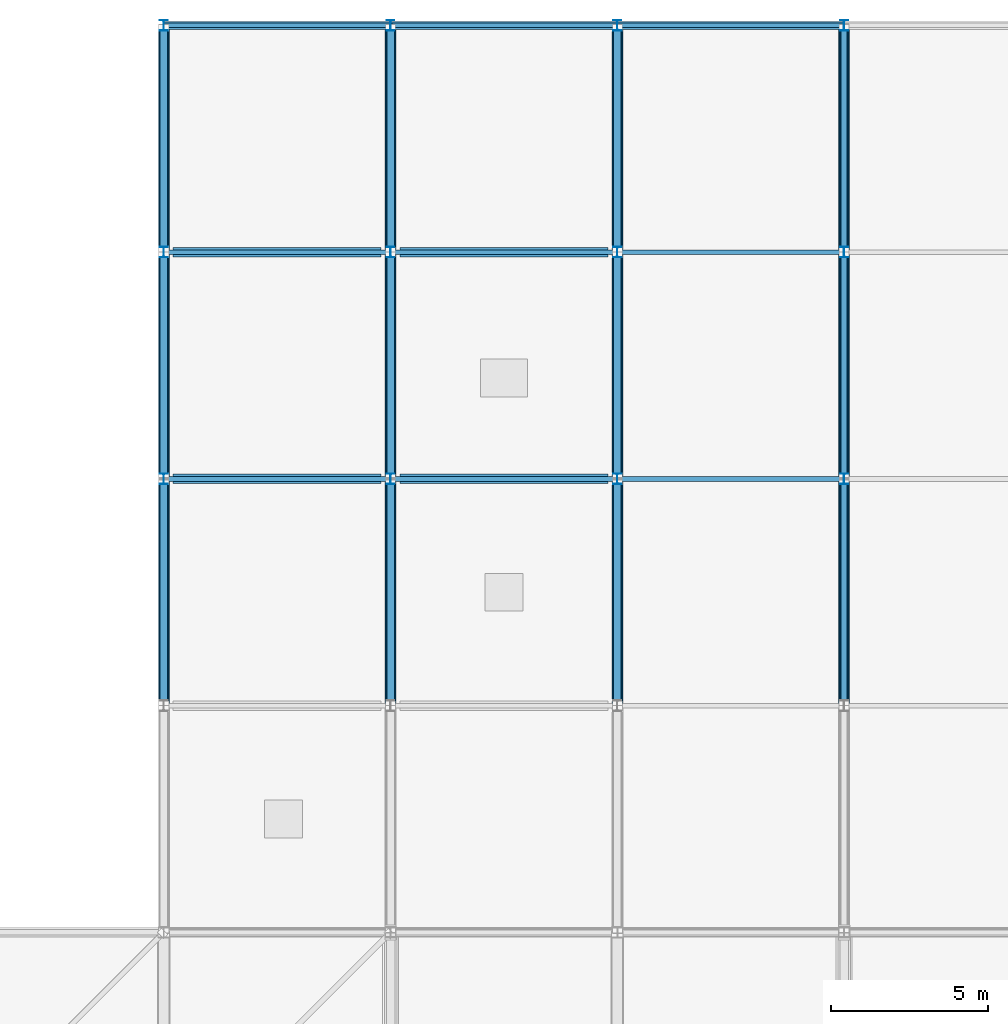
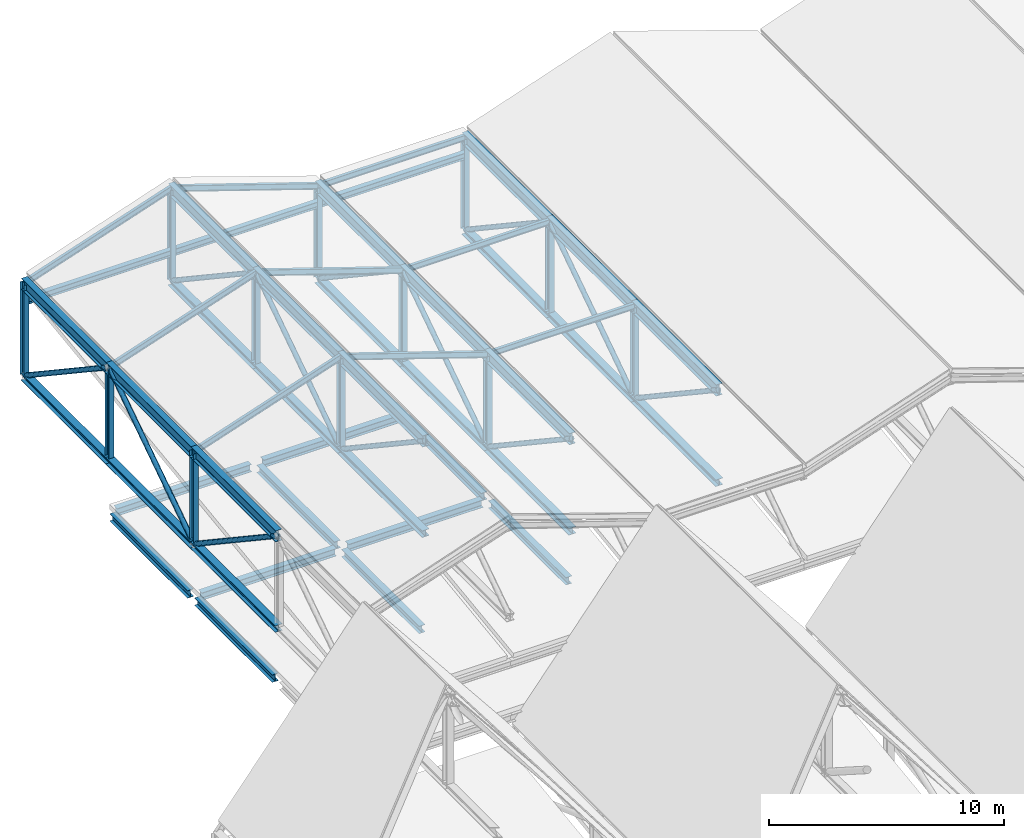
# One storey, part 27 of 60: 57 members, 13 beams.
"""IFC4 building model written with IfcOpenShell, lengths in metres."""

from ifc_helpers import new_model, si_unit, direction, frame, origin, origin_2d, place, context, subcontext, project, spatial, hollow_circle, i_section, extrude, material, material_profile, profile_set, type_object, element, save


model = new_model("IFC4")

# Units and contexts
model_context = context("Model", 3, precision=1e-05, world=origin(), true_north=direction((0.0, 1.0)))
body_context = subcontext(model_context, "Body", "Model", "MODEL_VIEW")
ifc_project = project(units=[si_unit("LENGTHUNIT", "METRE"), si_unit("AREAUNIT", "SQUARE_METRE"), si_unit("VOLUMEUNIT", "CUBIC_METRE"), si_unit("PLANEANGLEUNIT", "RADIAN"), si_unit("MASSUNIT", "GRAM", prefix="KILO")], contexts=[model_context])

# Site, building, storey
site_placement = place(None, origin())
site = spatial("IfcSite", under=ifc_project, at=site_placement, CompositionType="ELEMENT")
building_placement = place(site_placement, origin())
building = spatial("IfcBuilding", under=site, at=building_placement, Name="Vesperath Aquatics Centre", CompositionType="ELEMENT")
storey_placement = place(building_placement, frame((0.0, 0.0, 27.60009765625)))
storey = spatial("IfcBuildingStorey", under=building, at=storey_placement, Name="RF", CompositionType="ELEMENT", Elevation=27.60009765625)

# Beams
ifc_material_1 = material(Name="Steel Q355C", Category="steel")
ifc_material_profile_1 = material_profile(ifc_material_1, i_section(OverallWidth=0.300048828125, OverallDepth=0.389892578125, WebThickness=0.010009765625, FlangeThickness=0.01611328125, FilletRadius=0.02197265625, at=origin_2d()), Name="HM 390x300x10x16")
ifc_profile_set_1 = profile_set([ifc_material_profile_1], Name="Steel Q355C")
beam_type_1 = type_object("IfcBeamType", Name="BM-RB01", PredefinedType="BEAM", material=ifc_profile_set_1)
for number, where, z_axis, x_axis, name in (
    (1, (7.5, 100.800048828125, -8.755126953125), (1.0, 0.0, 0.0), (0.0, 1.0, 0.0), "Flat Roof Girder B11 RF Q 2-3"),
    (2, (7.5, 108.0, -8.755126953125), (1.0, 0.0, 0.0), (0.0, 1.0, 0.0), "Flat Roof Girder B11 RF R 2-3"),
    (3, (14.699951171875, 100.800048828125, -8.755126953125), (1.0, 0.0, 0.0), (0.0, 1.0, 0.0), "Flat Roof Girder B11 RF Q 3-4"),
    (4, (14.699951171875, 108.0, -8.755126953125), (1.0, 0.0, 0.0), (0.0, 1.0, 0.0), "Flat Roof Girder B11 RF R 3-4"),
    (5, (7.199951171875, 93.89990234375, -8.755126953125), (0.0, 1.0, 0.0), (-1.0, 0.0, 0.0), "Flat Roof Girder B11 RF 2 P-Q"),
):
    element("IfcBeam", number, at=place(storey_placement, frame(where, z_axis=z_axis, x_axis=x_axis)), inside=storey, type_object=beam_type_1, Name=name, PredefinedType="BEAM", context=body_context, shape_type="SweptSolid", body=[
        extrude(i_section(OverallWidth=0.300048828125, OverallDepth=0.389892578125, WebThickness=0.010009765625, FlangeThickness=0.01611328125, FilletRadius=0.02197265625, at=origin_2d()), origin(), (0.0, 0.0, 1.0), 6.60009765625),
    ])
beam_1_placement = place(storey_placement, frame((7.199951171875, 101.10009765625, -8.755126953125), z_axis=(0.0, 1.0, 0.0), x_axis=(-1.0, 0.0, 0.0)))
element("IfcBeam", 6, at=beam_1_placement, inside=storey, type_object=beam_type_1, Name="Flat Roof Girder B11 RF 2 Q-R", PredefinedType="BEAM", context=body_context, shape_type="SweptSolid", body=[
    extrude(i_section(OverallWidth=0.300048828125, OverallDepth=0.389892578125, WebThickness=0.010009765625, FlangeThickness=0.01611328125, FilletRadius=0.02197265625, at=origin_2d()), origin(), (0.0, 0.0, 1.0), 6.599853515625),
])
beam_2_placement = place(storey_placement, frame((14.39990234375, 93.89990234375, -8.755126953125), z_axis=(0.0, 1.0, 0.0), x_axis=(-1.0, 0.0, 0.0)))
element("IfcBeam", 7, at=beam_2_placement, inside=storey, type_object=beam_type_1, Name="Flat Roof Girder B11 RF 3 P-Q", PredefinedType="BEAM", context=body_context, shape_type="SweptSolid", body=[
    extrude(i_section(OverallWidth=0.300048828125, OverallDepth=0.389892578125, WebThickness=0.010009765625, FlangeThickness=0.01611328125, FilletRadius=0.02197265625, at=origin_2d()), origin(), (0.0, 0.0, 1.0), 6.60009765625),
])
beam_3_placement = place(storey_placement, frame((14.39990234375, 101.10009765625, -8.755126953125), z_axis=(0.0, 1.0, 0.0), x_axis=(-1.0, 0.0, 0.0)))
element("IfcBeam", 8, at=beam_3_placement, inside=storey, type_object=beam_type_1, Name="Flat Roof Girder B11 RF 3 Q-R", PredefinedType="BEAM", context=body_context, shape_type="SweptSolid", body=[
    extrude(i_section(OverallWidth=0.300048828125, OverallDepth=0.389892578125, WebThickness=0.010009765625, FlangeThickness=0.01611328125, FilletRadius=0.02197265625, at=origin_2d()), origin(), (0.0, 0.0, 1.0), 6.599853515625),
])
beam_4_placement = place(storey_placement, frame((21.60009765625, 93.89990234375, -8.755126953125), z_axis=(0.0, 1.0, 0.0), x_axis=(-1.0, 0.0, 0.0)))
element("IfcBeam", 9, at=beam_4_placement, inside=storey, type_object=beam_type_1, Name="Flat Roof Girder B11 RF 4 P-Q", PredefinedType="BEAM", context=body_context, shape_type="SweptSolid", body=[
    extrude(i_section(OverallWidth=0.300048828125, OverallDepth=0.389892578125, WebThickness=0.010009765625, FlangeThickness=0.01611328125, FilletRadius=0.02197265625, at=origin_2d()), origin(), (0.0, 0.0, 1.0), 6.60009765625),
])
beam_5_placement = place(storey_placement, frame((21.60009765625, 101.10009765625, -8.755126953125), z_axis=(0.0, 1.0, 0.0), x_axis=(-1.0, 0.0, 0.0)))
element("IfcBeam", 10, at=beam_5_placement, inside=storey, type_object=beam_type_1, Name="Flat Roof Girder B11 RF 4 Q-R", PredefinedType="BEAM", context=body_context, shape_type="SweptSolid", body=[
    extrude(i_section(OverallWidth=0.300048828125, OverallDepth=0.389892578125, WebThickness=0.010009765625, FlangeThickness=0.01611328125, FilletRadius=0.02197265625, at=origin_2d()), origin(), (0.0, 0.0, 1.0), 6.599853515625),
])
ifc_material_profile_2 = material_profile(ifc_material_1, i_section(OverallWidth=0.25, OverallDepth=0.340087890625, WebThickness=0.009033203125, FlangeThickness=0.013916015625, FilletRadius=0.02001953125, at=origin_2d()), Name="HM 340x250x9x14")
ifc_profile_set_2 = profile_set([ifc_material_profile_2], Name="Steel Q355C")
beam_type_2 = type_object("IfcBeamType", Name="BM-RB08", PredefinedType="BEAM", material=ifc_profile_set_2)
beam_6_placement = place(storey_placement, frame((7.199951171875, 115.199951171875, -2.107421875), z_axis=(1.0, 0.0, 0.0), x_axis=(0.0, 1.0, 0.0)))
element("IfcBeam", 11, at=beam_6_placement, inside=storey, type_object=beam_type_2, Name="Diving Roof Support Beam B12 North 2", PredefinedType="BEAM", context=body_context, shape_type="SweptSolid", body=[
    extrude(i_section(OverallWidth=0.25, OverallDepth=0.340087890625, WebThickness=0.009033203125, FlangeThickness=0.013916015625, FilletRadius=0.02001953125, at=origin_2d()), origin(), (0.0, 0.0, 1.0), 7.199951171875),
])
beam_7_placement = place(storey_placement, frame((14.39990234375, 115.199951171875, -2.107421875), z_axis=(1.0, 0.0, 0.0), x_axis=(0.0, 1.0, 0.0)))
element("IfcBeam", 12, at=beam_7_placement, inside=storey, type_object=beam_type_2, Name="Diving Roof Support Beam B12 North 3", PredefinedType="BEAM", context=body_context, shape_type="SweptSolid", body=[
    extrude(i_section(OverallWidth=0.25, OverallDepth=0.340087890625, WebThickness=0.009033203125, FlangeThickness=0.013916015625, FilletRadius=0.02001953125, at=origin_2d()), origin(), (0.0, 0.0, 1.0), 7.2001953125),
])
beam_8_placement = place(storey_placement, frame((21.60009765625, 115.199951171875, -2.107421875), z_axis=(1.0, 0.0, 0.0), x_axis=(0.0, 1.0, 0.0)))
element("IfcBeam", 13, at=beam_8_placement, inside=storey, type_object=beam_type_2, Name="Diving Roof Support Beam B12 North 4", PredefinedType="BEAM", context=body_context, shape_type="SweptSolid", body=[
    extrude(i_section(OverallWidth=0.25, OverallDepth=0.340087890625, WebThickness=0.009033203125, FlangeThickness=0.013916015625, FilletRadius=0.02001953125, at=origin_2d()), origin(), (0.0, 0.0, 1.0), 7.199951171875),
])

# Members
ifc_material_2 = material(Name="Steel Q355D", Category="steel")
ifc_material_profile_3 = material_profile(ifc_material_2, i_section(OverallWidth=0.35009765625, OverallDepth=0.35009765625, WebThickness=0.011962890625, FlangeThickness=0.01904296875, FilletRadius=0.02001953125, at=origin_2d()), Name="HW 350x350x12x19")
ifc_profile_set_3 = profile_set([ifc_material_profile_3], Name="Steel Q355D")
member_type_1 = type_object("IfcMemberType", Name="MB-BC02", PredefinedType="CHORD", material=ifc_profile_set_3)
for number, where, z_axis, x_axis, name in (
    (14, (7.199951171875, 93.60009765625, -6.0), (0.0, 1.0, 0.0), (-1.0, 0.0, 0.0), "Diving ROOF TRUSS Bottom Chord BC02 G2-2"),
    (15, (7.199951171875, 100.800048828125, -6.0), (0.0, 1.0, 0.0), (-1.0, 0.0, 0.0), "Diving ROOF TRUSS Bottom Chord BC02 G2-3"),
    (16, (7.199951171875, 108.0, -6.0), (0.0, 1.0, 0.0), (-1.0, 0.0, 0.0), "Diving ROOF TRUSS Bottom Chord BC02 G2-4"),
    (17, (14.39990234375, 93.60009765625, -3.60009765625), (0.0, 1.0, 0.0), (-1.0, 0.0, 0.0), "Diving ROOF TRUSS Bottom Chord BC02 G3-2"),
    (18, (14.39990234375, 100.800048828125, -3.60009765625), (0.0, 1.0, 0.0), (-1.0, 0.0, 0.0), "Diving ROOF TRUSS Bottom Chord BC02 G3-3"),
    (19, (14.39990234375, 108.0, -3.60009765625), (0.0, 1.0, 0.0), (-1.0, 0.0, 0.0), "Diving ROOF TRUSS Bottom Chord BC02 G3-4"),
    (20, (21.60009765625, 93.60009765625, -6.0), (0.0, 1.0, 0.0), (-1.0, 0.0, 0.0), "Diving ROOF TRUSS Bottom Chord BC02 G4-2"),
    (21, (21.60009765625, 100.800048828125, -6.0), (0.0, 1.0, 0.0), (-1.0, 0.0, 0.0), "Diving ROOF TRUSS Bottom Chord BC02 G4-3"),
    (22, (21.60009765625, 108.0, -6.0), (0.0, 1.0, 0.0), (-1.0, 0.0, 0.0), "Diving ROOF TRUSS Bottom Chord BC02 G4-4"),
    (23, (28.800048828125, 93.60009765625, -6.0), (0.0, 1.0, 0.0), (-1.0, 0.0, 0.0), "Diving ROOF TRUSS Bottom Chord BC02 G5-2"),
    (24, (28.800048828125, 100.800048828125, -6.0), (0.0, 1.0, 0.0), (-1.0, 0.0, 0.0), "Diving ROOF TRUSS Bottom Chord BC02 G5-3"),
    (25, (28.800048828125, 108.0, -6.0), (0.0, 1.0, 0.0), (-1.0, 0.0, 0.0), "Diving ROOF TRUSS Bottom Chord BC02 G5-4"),
):
    element("IfcMember", number, at=place(storey_placement, frame(where, z_axis=z_axis, x_axis=x_axis)), inside=storey, type_object=member_type_1, Name=name, PredefinedType="CHORD", context=body_context, shape_type="SweptSolid", body=[
        extrude(i_section(OverallWidth=0.35009765625, OverallDepth=0.35009765625, WebThickness=0.011962890625, FlangeThickness=0.01904296875, FilletRadius=0.02001953125, at=origin_2d()), origin(), (0.0, 0.0, 1.0), 7.199951171875),
    ])
ifc_material_profile_4 = material_profile(ifc_material_1, i_section(OverallWidth=0.14990234375, OverallDepth=0.300048828125, WebThickness=0.006591796875, FlangeThickness=0.009033203125, FilletRadius=0.012939453125, at=origin_2d()), Name="HN 300x150x6.5x9")
ifc_profile_set_4 = profile_set([ifc_material_profile_4], Name="Steel Q355C")
member_type_2 = type_object("IfcMemberType", Name="MB-PR02", PredefinedType="PURLIN", material=ifc_profile_set_4)
for number, where, z_axis, x_axis, name in (
    (26, (7.199951171875, 100.800048828125, -1.2001953125), (0.948676864184, 0.0, 0.316247066962), (0.0, 1.0, 0.0), "Diving Roof Purlin PR02 2-3"),
    (27, (7.199951171875, 108.0, -1.2001953125), (0.948676864184, 0.0, 0.316247066962), (0.0, 1.0, 0.0), "Diving Roof Purlin PR02 2-4"),
    (28, (7.199951171875, 115.199951171875, -1.2001953125), (0.948676864184, 0.0, 0.316247066962), (0.0, 1.0, 0.0), "Diving Roof Purlin PR02 2-5"),
):
    element("IfcMember", number, at=place(storey_placement, frame(where, z_axis=z_axis, x_axis=x_axis)), inside=storey, type_object=member_type_2, Name=name, PredefinedType="PURLIN", context=body_context, shape_type="SweptSolid", body=[
        extrude(i_section(OverallWidth=0.14990234375, OverallDepth=0.300048828125, WebThickness=0.006591796875, FlangeThickness=0.009033203125, FilletRadius=0.012939453125, at=origin_2d()), origin(), (0.0, 0.0, 1.0), 7.58935546875),
    ])
for number, where, z_axis, x_axis, name in (
    (29, (14.39990234375, 100.800048828125, 1.199951171875), (0.948680081264, 0.0, -0.316237416212), (0.0, 1.0, 0.0), "Diving Roof Purlin PR02 3-3"),
    (30, (14.39990234375, 108.0, 1.199951171875), (0.948680081264, 0.0, -0.316237416212), (0.0, 1.0, 0.0), "Diving Roof Purlin PR02 3-4"),
    (31, (14.39990234375, 115.199951171875, 1.199951171875), (0.948680081264, 0.0, -0.316237416212), (0.0, 1.0, 0.0), "Diving Roof Purlin PR02 3-5"),
):
    element("IfcMember", number, at=place(storey_placement, frame(where, z_axis=z_axis, x_axis=x_axis)), inside=storey, type_object=member_type_2, Name=name, PredefinedType="PURLIN", context=body_context, shape_type="SweptSolid", body=[
        extrude(i_section(OverallWidth=0.14990234375, OverallDepth=0.300048828125, WebThickness=0.006591796875, FlangeThickness=0.009033203125, FilletRadius=0.012939453125, at=origin_2d()), origin(), (0.0, 0.0, 1.0), 7.589599609375),
    ])
for number, where, z_axis, x_axis, name in (
    (32, (21.60009765625, 100.800048828125, -1.2001953125), (1.0, 0.0, 0.0), (0.0, 1.0, 0.0), "Diving Roof Purlin PR02 4-3"),
    (33, (21.60009765625, 108.0, -1.2001953125), (1.0, 0.0, 0.0), (0.0, 1.0, 0.0), "Diving Roof Purlin PR02 4-4"),
    (34, (21.60009765625, 115.199951171875, -1.2001953125), (1.0, 0.0, 0.0), (0.0, 1.0, 0.0), "Diving Roof Purlin PR02 4-5"),
):
    element("IfcMember", number, at=place(storey_placement, frame(where, z_axis=z_axis, x_axis=x_axis)), inside=storey, type_object=member_type_2, Name=name, PredefinedType="PURLIN", context=body_context, shape_type="SweptSolid", body=[
        extrude(i_section(OverallWidth=0.14990234375, OverallDepth=0.300048828125, WebThickness=0.006591796875, FlangeThickness=0.009033203125, FilletRadius=0.012939453125, at=origin_2d()), origin(), (0.0, 0.0, 1.0), 7.199951171875),
    ])
ifc_material_profile_5 = material_profile(ifc_material_2, i_section(OverallWidth=0.300048828125, OverallDepth=0.587890625, WebThickness=0.011962890625, FlangeThickness=0.02001953125, FilletRadius=0.028076171875, at=origin_2d()), Name="HM 588x300x12x20")
ifc_profile_set_5 = profile_set([ifc_material_profile_5], Name="Steel Q355D")
member_type_3 = type_object("IfcMemberType", Name="MB-TC03", PredefinedType="CHORD", material=ifc_profile_set_5)
for number, where, z_axis, x_axis, name in (
    (35, (7.199951171875, 93.60009765625, -1.2001953125), (0.0, 1.0, 0.0), (-1.0, 0.0, 0.0), "Diving ROOF TRUSS Top Chord TC03 G2-2"),
    (36, (7.199951171875, 100.800048828125, -1.2001953125), (0.0, 1.0, 0.0), (-1.0, 0.0, 0.0), "Diving ROOF TRUSS Top Chord TC03 G2-3"),
    (37, (7.199951171875, 108.0, -1.2001953125), (0.0, 1.0, 0.0), (-1.0, 0.0, 0.0), "Diving ROOF TRUSS Top Chord TC03 G2-4"),
    (38, (14.39990234375, 93.60009765625, 1.199951171875), (0.0, 1.0, 0.0), (-1.0, 0.0, 0.0), "Diving ROOF TRUSS Top Chord TC03 G3-2"),
    (39, (14.39990234375, 100.800048828125, 1.199951171875), (0.0, 1.0, 0.0), (-1.0, 0.0, 0.0), "Diving ROOF TRUSS Top Chord TC03 G3-3"),
    (40, (14.39990234375, 108.0, 1.199951171875), (0.0, 1.0, 0.0), (-1.0, 0.0, 0.0), "Diving ROOF TRUSS Top Chord TC03 G3-4"),
    (41, (21.60009765625, 93.60009765625, -1.2001953125), (0.0, 1.0, 0.0), (-1.0, 0.0, 0.0), "Diving ROOF TRUSS Top Chord TC03 G4-2"),
    (42, (21.60009765625, 100.800048828125, -1.2001953125), (0.0, 1.0, 0.0), (-1.0, 0.0, 0.0), "Diving ROOF TRUSS Top Chord TC03 G4-3"),
    (43, (21.60009765625, 108.0, -1.2001953125), (0.0, 1.0, 0.0), (-1.0, 0.0, 0.0), "Diving ROOF TRUSS Top Chord TC03 G4-4"),
    (44, (28.800048828125, 93.60009765625, -1.2001953125), (0.0, 1.0, 0.0), (-1.0, 0.0, 0.0), "Diving ROOF TRUSS Top Chord TC03 G5-2"),
    (45, (28.800048828125, 100.800048828125, -1.2001953125), (0.0, 1.0, 0.0), (-1.0, 0.0, 0.0), "Diving ROOF TRUSS Top Chord TC03 G5-3"),
    (46, (28.800048828125, 108.0, -1.2001953125), (0.0, 1.0, 0.0), (-1.0, 0.0, 0.0), "Diving ROOF TRUSS Top Chord TC03 G5-4"),
):
    element("IfcMember", number, at=place(storey_placement, frame(where, z_axis=z_axis, x_axis=x_axis)), inside=storey, type_object=member_type_3, Name=name, PredefinedType="CHORD", context=body_context, shape_type="SweptSolid", body=[
        extrude(i_section(OverallWidth=0.300048828125, OverallDepth=0.587890625, WebThickness=0.011962890625, FlangeThickness=0.02001953125, FilletRadius=0.028076171875, at=origin_2d()), origin(), (0.0, 0.0, 1.0), 7.199951171875),
    ])
ifc_material_profile_6 = material_profile(ifc_material_2, hollow_circle(Radius=0.122314453125, WallThickness=0.011962890625, at=origin_2d()), Name="CHS 244.5x12")
ifc_profile_set_6 = profile_set([ifc_material_profile_6], Name="Steel Q355D")
member_type_4 = type_object("IfcMemberType", Name="MB-TD03", PredefinedType="BRACE", material=ifc_profile_set_6)
for number, where, z_axis, x_axis, name in (
    (47, (7.199951171875, 93.66650390625, -1.244384765625), (0.0, 0.832041449737, -0.554713462897), (-1.0, 0.0, 0.0), "Diving ROOF TRUSS Diagonal TD03 G2-2"),
    (48, (7.199951171875, 100.866455078125, -5.955810546875), (0.0, 0.832041449737, 0.554713462897), (-1.0, 0.0, 0.0), "Diving ROOF TRUSS Diagonal TD03 G2-3"),
    (49, (7.199951171875, 108.066650390625, -1.244384765625), (0.0, 0.832041449737, -0.554713462897), (-1.0, 0.0, 0.0), "Diving ROOF TRUSS Diagonal TD03 G2-4"),
    (50, (14.39990234375, 93.66650390625, 1.155517578125), (0.0, 0.832054716629, -0.554693562731), (-1.0, 0.0, 0.0), "Diving ROOF TRUSS Diagonal TD03 G3-2"),
    (51, (14.39990234375, 100.866455078125, -3.5556640625), (0.0, 0.832054716629, 0.554693562731), (-1.0, 0.0, 0.0), "Diving ROOF TRUSS Diagonal TD03 G3-3"),
    (52, (14.39990234375, 108.066650390625, 1.155517578125), (0.0, 0.832054716629, -0.554693562731), (-1.0, 0.0, 0.0), "Diving ROOF TRUSS Diagonal TD03 G3-4"),
    (53, (21.60009765625, 93.66650390625, -1.244384765625), (0.0, 0.832041449737, -0.554713462897), (-1.0, 0.0, 0.0), "Diving ROOF TRUSS Diagonal TD03 G4-2"),
    (54, (21.60009765625, 100.866455078125, -5.955810546875), (0.0, 0.832041449737, 0.554713462897), (-1.0, 0.0, 0.0), "Diving ROOF TRUSS Diagonal TD03 G4-3"),
    (55, (21.60009765625, 108.066650390625, -1.244384765625), (0.0, 0.832041449737, -0.554713462897), (-1.0, 0.0, 0.0), "Diving ROOF TRUSS Diagonal TD03 G4-4"),
    (56, (28.800048828125, 93.66650390625, -1.244384765625), (0.0, 0.832041449737, -0.554713462897), (-1.0, 0.0, 0.0), "Diving ROOF TRUSS Diagonal TD03 G5-2"),
    (57, (28.800048828125, 100.866455078125, -5.955810546875), (0.0, 0.832041449737, 0.554713462897), (-1.0, 0.0, 0.0), "Diving ROOF TRUSS Diagonal TD03 G5-3"),
    (58, (28.800048828125, 108.066650390625, -1.244384765625), (0.0, 0.832041449737, -0.554713462897), (-1.0, 0.0, 0.0), "Diving ROOF TRUSS Diagonal TD03 G5-4"),
):
    element("IfcMember", number, at=place(storey_placement, frame(where, z_axis=z_axis, x_axis=x_axis)), inside=storey, type_object=member_type_4, Name=name, PredefinedType="BRACE", context=body_context, shape_type="SweptSolid", body=[
        extrude(hollow_circle(Radius=0.122314453125, WallThickness=0.011962890625, at=origin_2d()), origin(), (0.0, 0.0, 1.0), 8.493408203125),
    ])
ifc_material_profile_7 = material_profile(ifc_material_2, i_section(OverallWidth=0.25, OverallDepth=0.340087890625, WebThickness=0.009033203125, FlangeThickness=0.013916015625, FilletRadius=0.02001953125, at=origin_2d()), Name="HM 340x250x9x14")
ifc_profile_set_7 = profile_set([ifc_material_profile_7], Name="Steel Q355D")
member_type_5 = type_object("IfcMemberType", Name="MB-TP02", PredefinedType="POST", material=ifc_profile_set_7)
for number, where, z_axis, x_axis, name in (
    (59, (7.199951171875, 100.800048828125, -6.0), (0.0, 0.0, 1.0), (1.0, 0.0, 0.0), "Diving ROOF TRUSS Post TP02 G2-3"),
    (60, (7.199951171875, 108.0, -6.0), (0.0, 0.0, 1.0), (1.0, 0.0, 0.0), "Diving ROOF TRUSS Post TP02 G2-4"),
    (61, (7.199951171875, 115.199951171875, -6.0), (0.0, 0.0, 1.0), (1.0, 0.0, 0.0), "Diving ROOF TRUSS Post TP02 G2-5"),
):
    element("IfcMember", number, at=place(storey_placement, frame(where, z_axis=z_axis, x_axis=x_axis)), inside=storey, type_object=member_type_5, Name=name, PredefinedType="POST", context=body_context, shape_type="SweptSolid", body=[
        extrude(i_section(OverallWidth=0.25, OverallDepth=0.340087890625, WebThickness=0.009033203125, FlangeThickness=0.013916015625, FilletRadius=0.02001953125, at=origin_2d()), origin(), (0.0, 0.0, 1.0), 4.7998046875),
    ])
for number, where, z_axis, x_axis, name in (
    (62, (14.39990234375, 100.800048828125, -3.60009765625), (0.0, 0.0, 1.0), (1.0, 0.0, 0.0), "Diving ROOF TRUSS Post TP02 G3-3"),
    (63, (14.39990234375, 108.0, -3.60009765625), (0.0, 0.0, 1.0), (1.0, 0.0, 0.0), "Diving ROOF TRUSS Post TP02 G3-4"),
    (64, (14.39990234375, 115.199951171875, -3.60009765625), (0.0, 0.0, 1.0), (1.0, 0.0, 0.0), "Diving ROOF TRUSS Post TP02 G3-5"),
):
    element("IfcMember", number, at=place(storey_placement, frame(where, z_axis=z_axis, x_axis=x_axis)), inside=storey, type_object=member_type_5, Name=name, PredefinedType="POST", context=body_context, shape_type="SweptSolid", body=[
        extrude(i_section(OverallWidth=0.25, OverallDepth=0.340087890625, WebThickness=0.009033203125, FlangeThickness=0.013916015625, FilletRadius=0.02001953125, at=origin_2d()), origin(), (0.0, 0.0, 1.0), 4.800048828125),
    ])
for number, where, z_axis, x_axis, name in (
    (65, (21.60009765625, 100.800048828125, -6.0), (0.0, 0.0, 1.0), (1.0, 0.0, 0.0), "Diving ROOF TRUSS Post TP02 G4-3"),
    (66, (21.60009765625, 108.0, -6.0), (0.0, 0.0, 1.0), (1.0, 0.0, 0.0), "Diving ROOF TRUSS Post TP02 G4-4"),
    (67, (21.60009765625, 115.199951171875, -6.0), (0.0, 0.0, 1.0), (1.0, 0.0, 0.0), "Diving ROOF TRUSS Post TP02 G4-5"),
    (68, (28.800048828125, 100.800048828125, -6.0), (0.0, 0.0, 1.0), (1.0, 0.0, 0.0), "Diving ROOF TRUSS Post TP02 G5-3"),
    (69, (28.800048828125, 108.0, -6.0), (0.0, 0.0, 1.0), (1.0, 0.0, 0.0), "Diving ROOF TRUSS Post TP02 G5-4"),
    (70, (28.800048828125, 115.199951171875, -6.0), (0.0, 0.0, 1.0), (1.0, 0.0, 0.0), "Diving ROOF TRUSS Post TP02 G5-5"),
):
    element("IfcMember", number, at=place(storey_placement, frame(where, z_axis=z_axis, x_axis=x_axis)), inside=storey, type_object=member_type_5, Name=name, PredefinedType="POST", context=body_context, shape_type="SweptSolid", body=[
        extrude(i_section(OverallWidth=0.25, OverallDepth=0.340087890625, WebThickness=0.009033203125, FlangeThickness=0.013916015625, FilletRadius=0.02001953125, at=origin_2d()), origin(), (0.0, 0.0, 1.0), 4.7998046875),
    ])

save(model, "model.ifc")
